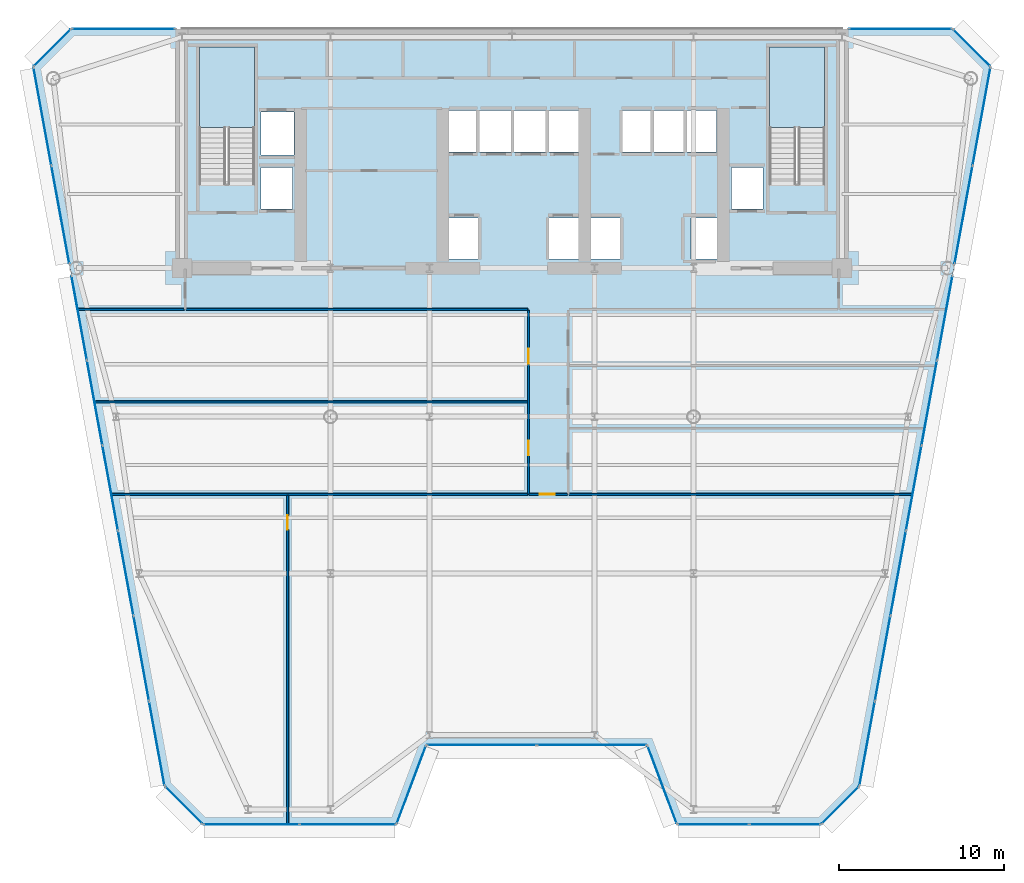
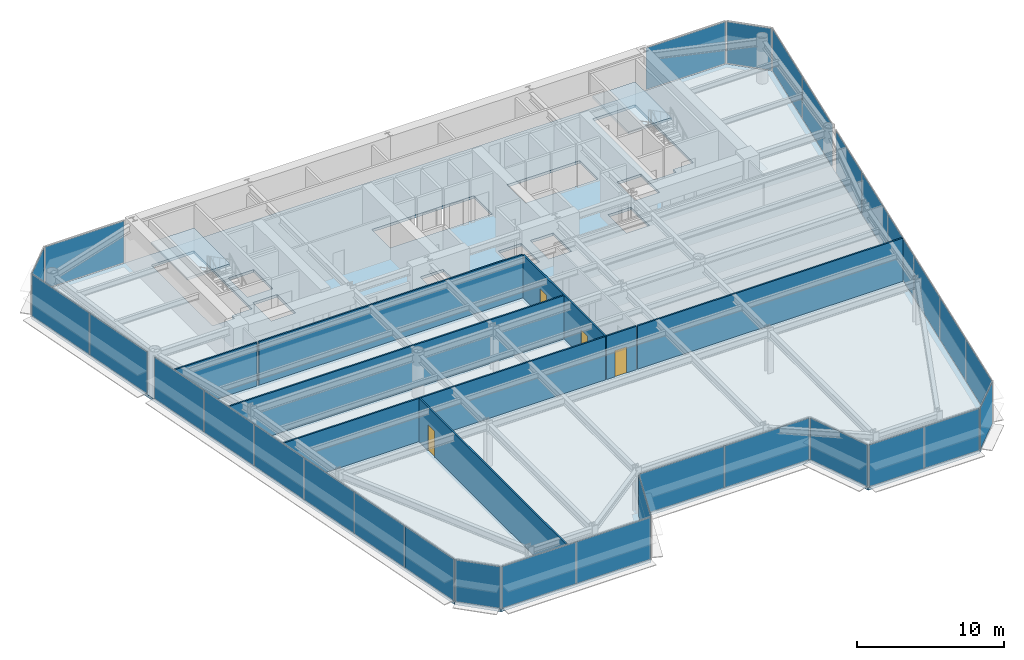
# One storey, part 10 of 17: 30 plates, 8 walls, 4 doors, 3 slabs, 4 openings, 17 elements without a shape of their own.
"""IFC4 building model written with IfcOpenShell, lengths in metres."""

import ifcopenshell
import ifcopenshell.guid

model = None  # the IFC model being written
_history = None  # IfcOwnerHistory: only IFC2X3 demands one
_inside = {}  # id of a spatial element -> (the spatial element, [elements in it])
_under = {}  # id of a project, library or spatial element -> (it, [spatial elements below it])
_declared = {}  # id of a project -> (the project, [libraries it declares])
_typed = {}  # id of a type object -> (the type object, [elements of that type])
_made_of = {}  # id of a material, layer set ... -> (it, [elements and type objects made of it])


def new_model(schema):
    """Start an empty IFC model of exactly this schema.

    Asked for "IFC4X3", IfcOpenShell would pick the latest addendum, in which some entities
    have other attributes; the version numbers below select the first issue.
    IFC2X3 requires an IfcOwnerHistory on every rooted entity: one is made here for all.
    """
    global model, _history
    if schema == "IFC4X3":
        model = ifcopenshell.file(schema_version=(4, 3, 0, 0))
    else:
        model = ifcopenshell.file(schema=schema)
    _inside.clear()
    _under.clear()
    _declared.clear()
    _typed.clear()
    _made_of.clear()
    _history = None
    if model.schema == "IFC2X3":
        org = make("IfcOrganization", Name="unknown")
        user = make(
            "IfcPersonAndOrganization",
            ThePerson=make("IfcPerson", FamilyName="unknown"),
            TheOrganization=org,
        )
        app = make(
            "IfcApplication",
            ApplicationDeveloper=org,
            Version="unknown",
            ApplicationFullName="unknown",
            ApplicationIdentifier="unknown",
        )
        _history = make(
            "IfcOwnerHistory",
            OwningUser=user,
            OwningApplication=app,
            ChangeAction="ADDED",
            CreationDate=0,
        )
    return model


def make(cls, **values):
    """One entity of the class cls with the attributes given. An attribute that is None is left unset."""
    return model.create_entity(
        cls, **{name: value for name, value in values.items() if value is not None}
    )


def rooted(cls, **values):
    """An entity with a GlobalId (a new one), such as an element, a storey or a relation."""
    return make(cls, GlobalId=ifcopenshell.guid.new(), OwnerHistory=_history, **values)


def si_unit(unit_type, name, prefix=None):
    """IfcSIUnit, for example si_unit("LENGTHUNIT", "METRE", prefix="MILLI")."""
    return make("IfcSIUnit", UnitType=unit_type, Prefix=prefix, Name=name)


def assignment(units):
    """IfcUnitAssignment: the units of a project."""
    return None if units is None else make("IfcUnitAssignment", Units=units)


def point(xyz):
    """IfcCartesianPoint."""
    return None if xyz is None else make("IfcCartesianPoint", Coordinates=xyz)


def direction(xyz):
    """IfcDirection."""
    return None if xyz is None else make("IfcDirection", DirectionRatios=xyz)


def frame(location, z_axis=None, x_axis=None):
    """IfcAxis2Placement3D, a coordinate frame: its origin and axes. An axis left out is left unset."""
    return make(
        "IfcAxis2Placement3D",
        Location=point(location),
        Axis=direction(z_axis),
        RefDirection=direction(x_axis),
    )


def frame_2d(location, x_axis=None):
    """IfcAxis2Placement2D, a coordinate frame in the plane: its origin and x axis."""
    return make(
        "IfcAxis2Placement2D", Location=point(location), RefDirection=direction(x_axis)
    )


def origin():
    """The frame at (0, 0, 0) with its axes left unset."""
    return frame((0.0, 0.0, 0.0))


def origin_2d():
    """The frame at (0, 0) in the plane with its x axis left unset."""
    return frame_2d((0.0, 0.0))


def place(relative_to, where):
    """IfcLocalPlacement: puts the frame where relative to a parent placement (None: the world)."""
    return make(
        "IfcLocalPlacement", PlacementRelTo=relative_to, RelativePlacement=where
    )


def context(
    kind, dimensions, precision=None, world=None, true_north=None, identifier=None
):
    """IfcGeometricRepresentationContext, for example the 3D "Model" context."""
    return make(
        "IfcGeometricRepresentationContext",
        ContextIdentifier=identifier,
        ContextType=kind,
        CoordinateSpaceDimension=dimensions,
        Precision=precision,
        WorldCoordinateSystem=world,
        TrueNorth=true_north,
    )


def subcontext(parent, identifier, kind, view, scale=None):
    """IfcGeometricRepresentationSubContext, for example "Body" below "Model"."""
    return make(
        "IfcGeometricRepresentationSubContext",
        ContextIdentifier=identifier,
        ContextType=kind,
        ParentContext=parent,
        TargetScale=scale,
        TargetView=view,
    )


def project(units=None, contexts=None):
    """IfcProject with its units and contexts."""
    return rooted(
        "IfcProject",
        Name="project",
        RepresentationContexts=contexts,
        UnitsInContext=assignment(units),
    )


def spatial(cls, under=None, at=None, **own):
    """A site, building, storey or space (cls), placed at a placement, below another one or the project."""
    s = rooted(cls, ObjectPlacement=at, **own)
    if under is not None:
        _under.setdefault(under.id(), (under, []))[1].append(s)
    return s


def polyline(points):
    """IfcPolyline through the points."""
    return make("IfcPolyline", Points=[point(p) for p in points])


def profile(cls, at=None, kind="AREA", **sizes):
    """A parametric profile (cls). Its sizes go by their IFC names, for example OverallWidth=200.0."""
    return make(cls, ProfileType=kind, Position=at, **sizes)


def rectangle(**sizes):
    """IfcRectangleProfileDef."""
    return profile("IfcRectangleProfileDef", **sizes)


def outline(outer, holes=None, kind="AREA"):
    """IfcArbitraryClosedProfileDef: a profile drawn as a closed curve; with holes, ...WithVoids."""
    if holes is None:
        return make("IfcArbitraryClosedProfileDef", ProfileType=kind, OuterCurve=outer)
    return make(
        "IfcArbitraryProfileDefWithVoids",
        ProfileType=kind,
        OuterCurve=outer,
        InnerCurves=holes,
    )


def extrude(swept, where, along, depth):
    """IfcExtrudedAreaSolid: the profile swept, set in the frame where, extruded along a direction by depth."""
    return make(
        "IfcExtrudedAreaSolid",
        SweptArea=swept,
        Position=where,
        ExtrudedDirection=direction(along),
        Depth=depth,
    )


def shape(context_of_items, identifier, shape_type, items):
    """IfcShapeRepresentation: the items that make up one representation, for example the "Body"."""
    return make(
        "IfcShapeRepresentation",
        ContextOfItems=context_of_items,
        RepresentationIdentifier=identifier,
        RepresentationType=shape_type,
        Items=items,
    )


def source(mapping_origin, context_of_items, identifier, shape_type, items):
    """IfcRepresentationMap: a shape defined once, which mapped items show again and again."""
    return make(
        "IfcRepresentationMap",
        MappingOrigin=mapping_origin,
        MappedRepresentation=shape(context_of_items, identifier, shape_type, items),
    )


def transform(
    local_origin,
    x_axis=None,
    y_axis=None,
    z_axis=None,
    scale=None,
    scale2=None,
    scale3=None,
    uniform=True,
):
    """IfcCartesianTransformationOperator3D, or its non-uniform kind. x_axis, y_axis, z_axis: its Axis1, 2, 3."""
    if uniform:
        return make(
            "IfcCartesianTransformationOperator3D",
            Axis1=direction(x_axis),
            Axis2=direction(y_axis),
            LocalOrigin=point(local_origin),
            Scale=scale,
            Axis3=direction(z_axis),
        )
    return make(
        "IfcCartesianTransformationOperator3DnonUniform",
        Axis1=direction(x_axis),
        Axis2=direction(y_axis),
        LocalOrigin=point(local_origin),
        Scale=scale,
        Axis3=direction(z_axis),
        Scale2=scale2,
        Scale3=scale3,
    )


def mapped(mapping_source, mapping_target):
    """IfcMappedItem: shows the shape of a source again, moved by a transform."""
    return make(
        "IfcMappedItem", MappingSource=mapping_source, MappingTarget=mapping_target
    )


def material(Name=None, Category=None):
    """IfcMaterial."""
    return make("IfcMaterial", Name=Name, Category=Category)


def layer(
    of_material, thickness, ventilated=None, Name=None, Category=None, Priority=None
):
    """IfcMaterialLayer: one layer of a wall or slab, of a material (None: an air gap)."""
    return make(
        "IfcMaterialLayer",
        Material=of_material,
        LayerThickness=thickness,
        IsVentilated=ventilated,
        Name=Name,
        Category=Category,
        Priority=Priority,
    )


def layer_set(layers, Name=None):
    """IfcMaterialLayerSet."""
    return make("IfcMaterialLayerSet", MaterialLayers=layers, LayerSetName=Name)


def made_of(thing, what):
    """Note that an element or type object is made of a material, layer set ...; save() writes the relation."""
    if what is not None:
        _made_of.setdefault(what.id(), (what, []))[1].append(thing)
    return thing


def type_object(cls, material=None, **own):
    """A type object (cls), such as IfcWallType, which elements share."""
    return made_of(rooted(cls, **own), material)


def element(
    cls,
    number,
    at=None,
    inside=None,
    cuts=None,
    type_object=None,
    material=None,
    context=None,
    identifier="Body",
    shape_type=None,
    held_by="IfcProductDefinitionShape",
    body=None,
    shapes=None,
    **own,
):
    """One element of the class cls, such as IfcWall. Its Tag is "e" and its number.

    at: its placement. inside: the storey or other place that contains it. cuts: it is an
    opening in that element (IfcRelVoidsElement). A single representation is given by context,
    identifier, shape_type and body (its items); several are given by shapes. held_by: the class
    of the entity that holds the representations. save() writes the other relations.
    """
    e = rooted(cls, Tag="e%d" % number, ObjectPlacement=at, **own)
    if body is not None:
        shapes = [shape(context, identifier, shape_type, body)]
    if shapes is not None:
        e.Representation = make(held_by, Representations=shapes)
    if inside is not None:
        _inside.setdefault(inside.id(), (inside, []))[1].append(e)
    if cuts is not None:
        rooted(
            "IfcRelVoidsElement", RelatingBuildingElement=cuts, RelatedOpeningElement=e
        )
    if type_object is not None:
        _typed.setdefault(type_object.id(), (type_object, []))[1].append(e)
    return made_of(e, material)


def fill(opening, filler):
    """IfcRelFillsElement: the door or window that sits in an opening."""
    return rooted(
        "IfcRelFillsElement",
        RelatingOpeningElement=opening,
        RelatedBuildingElement=filler,
    )


def aggregate(whole, parts):
    """IfcRelAggregates: a whole, such as a stair, and the parts it consists of."""
    return rooted("IfcRelAggregates", RelatingObject=whole, RelatedObjects=parts)


def save(model, path):
    """Write the relations noted so far, then the file.

    IfcRelAggregates (storeys below a building ...), IfcRelContainedInSpatialStructure (elements
    in a storey), IfcRelDefinesByType, IfcRelAssociatesMaterial and IfcRelDeclares: one each for
    every whole, place, type object, material and project.
    """
    for whole, parts in _under.values():
        aggregate(whole, parts)
    for where, things in _inside.values():
        rooted(
            "IfcRelContainedInSpatialStructure",
            RelatedElements=things,
            RelatingStructure=where,
        )
    for kind, things in _typed.values():
        rooted("IfcRelDefinesByType", RelatedObjects=things, RelatingType=kind)
    for what, things in _made_of.values():
        rooted("IfcRelAssociatesMaterial", RelatedObjects=things, RelatingMaterial=what)
    for by, libraries in _declared.values():
        rooted("IfcRelDeclares", RelatingContext=by, RelatedDefinitions=libraries)
    model.write(path)


model = new_model("IFC4")

# Units and contexts
model_context = context("Model", 3, precision=1e-05, world=origin(), true_north=direction((0.0, 1.0)))
body_context = subcontext(model_context, "Body", "Model", "MODEL_VIEW")
ifc_project = project(units=[si_unit("LENGTHUNIT", "METRE"), si_unit("AREAUNIT", "SQUARE_METRE"), si_unit("VOLUMEUNIT", "CUBIC_METRE"), si_unit("PLANEANGLEUNIT", "RADIAN"), si_unit("MASSUNIT", "GRAM", prefix="KILO")], contexts=[model_context])

# Site, building, storey
site_placement = place(None, origin())
site = spatial("IfcSite", under=ifc_project, at=site_placement, CompositionType="ELEMENT")
building_placement = place(site_placement, origin())
building = spatial("IfcBuilding", under=site, at=building_placement, Name="Vaeldorn Concourse Tower", CompositionType="ELEMENT")
storey_placement = place(building_placement, frame((0.0, 0.0, 157.60009765625)))
storey = spatial("IfcBuildingStorey", under=building, at=storey_placement, Name="L40", CompositionType="ELEMENT", Elevation=157.60009765625)

# Stair, slab
ifc_material_1 = material(Name="Precast concrete C40/50", Category="concrete")
stair_type = type_object("IfcStairType", Name="STR-DOG-24x158", PredefinedType="HALF_TURN_STAIR", material=ifc_material_1)
stair_1_placement = place(storey_placement, origin())
stair_1 = element("IfcStair", 1, at=stair_1_placement, inside=storey, type_object=stair_type, Name="L40 West Core Exit Stair ST-1", PredefinedType="HALF_TURN_STAIR")
ifc_material_2 = material(Name="Concrete C40/50", Category="concrete")
ifc_layer_1 = layer(ifc_material_2, 0.199951171875)
ifc_layer_set_1 = layer_set([ifc_layer_1], Name="Concrete C40/50")
slab_type_1 = type_object("IfcSlabType", Name="SL-STAIR-LANDING", PredefinedType="LANDING", material=ifc_layer_set_1)
slab_1_placement = place(storey_placement, frame((0.0, 0.0, 1.699951171875)))
slab_1 = element("IfcSlab", 2, at=slab_1_placement, type_object=slab_type_1, Name="ST-1 landing 1", PredefinedType="LANDING", context=body_context, shape_type="SweptSolid", body=[
    extrude(outline(polyline([(18.39990234375, 45.010009765625), (18.39990234375, 49.89990234375), (15.050048828125, 49.89990234375), (15.050048828125, 45.010009765625), (18.39990234375, 45.010009765625)])), origin(), (0.0, 0.0, 1.0), 0.199951171875),
])
aggregate(stair_1, [slab_1])

stair_2_placement = place(storey_placement, origin())
stair_2 = element("IfcStair", 3, at=stair_2_placement, inside=storey, type_object=stair_type, Name="L40 East Core Exit Stair ST-2", PredefinedType="HALF_TURN_STAIR")
slab_2_placement = place(storey_placement, frame((0.0, 0.0, 1.699951171875)))
slab_2 = element("IfcSlab", 4, at=slab_2_placement, type_object=slab_type_1, Name="ST-2 landing 1", PredefinedType="LANDING", context=body_context, shape_type="SweptSolid", body=[
    extrude(outline(polyline([(52.949951171875, 45.010009765625), (52.949951171875, 49.89990234375), (49.60009765625, 49.89990234375), (49.60009765625, 45.010009765625), (52.949951171875, 45.010009765625)])), origin(), (0.0, 0.0, 1.0), 0.199951171875),
])
aggregate(stair_2, [slab_2])

# Slab
ifc_layer_2 = layer(ifc_material_2, 0.219970703125)
ifc_layer_set_2 = layer_set([ifc_layer_2], Name="Concrete C40/50")
slab_type_2 = type_object("IfcSlabType", Name="SL-TYP-220", PredefinedType="FLOOR", material=ifc_layer_set_2)
slab_3_placement = place(storey_placement, frame((0.0, 0.0, -0.22021484375)))
element("IfcSlab", 5, at=slab_3_placement, inside=storey, type_object=slab_type_2, Name="Structural Floor Slab L40", PredefinedType="FLOOR", context=body_context, shape_type="SweptSolid", body=[
    extrude(outline(polyline([(15.2529296875, 2.800048828125), (27.0, 2.800048828125), (28.800048828125, 7.60009765625), (42.199951171875, 7.60009765625), (44.0, 2.800048828125), (52.7470703125, 2.800048828125), (55.047119140625, 5.10009765625), (63.0, 48.699951171875), (60.699951171875, 51.0), (7.300048828125, 51.0), (5.0, 48.699951171875), (12.952880859375, 5.10009765625), (15.2529296875, 2.800048828125)]), holes=[polyline([(18.39990234375, 42.0), (18.39990234375, 49.89990234375), (15.050048828125, 49.89990234375), (15.050048828125, 41.60009765625), (16.800048828125, 41.60009765625), (16.800048828125, 42.0), (18.39990234375, 42.0)]), polyline([(52.949951171875, 42.0), (52.949951171875, 49.89990234375), (49.60009765625, 49.89990234375), (49.60009765625, 41.60009765625), (51.35009765625, 41.60009765625), (51.35009765625, 42.0), (52.949951171875, 42.0)]), polyline([(30.14990234375, 37.050048828125), (31.949951171875, 37.050048828125), (31.949951171875, 39.550048828125), (30.14990234375, 39.550048828125), (30.14990234375, 37.050048828125)]), polyline([(36.25, 37.050048828125), (38.050048828125, 37.050048828125), (38.050048828125, 39.550048828125), (36.25, 39.550048828125), (36.25, 37.050048828125)]), polyline([(30.10009765625, 43.550048828125), (38.10009765625, 43.550048828125), (38.10009765625, 46.050048828125), (30.10009765625, 46.050048828125), (30.10009765625, 43.550048828125)]), polyline([(38.75, 37.050048828125), (40.550048828125, 37.050048828125), (40.550048828125, 39.550048828125), (38.75, 39.550048828125), (38.75, 37.050048828125)]), polyline([(44.85009765625, 37.050048828125), (46.64990234375, 37.050048828125), (46.64990234375, 39.550048828125), (44.85009765625, 39.550048828125), (44.85009765625, 37.050048828125)]), polyline([(40.699951171875, 43.550048828125), (46.39990234375, 43.550048828125), (46.39990234375, 46.050048828125), (40.699951171875, 46.050048828125), (40.699951171875, 43.550048828125)]), polyline([(18.800048828125, 43.35009765625), (20.800048828125, 43.35009765625), (20.800048828125, 45.949951171875), (18.800048828125, 45.949951171875), (18.800048828125, 43.35009765625)]), polyline([(18.800048828125, 40.10009765625), (20.699951171875, 40.10009765625), (20.699951171875, 42.60009765625), (18.800048828125, 42.60009765625), (18.800048828125, 40.10009765625)]), polyline([(47.300048828125, 40.10009765625), (49.199951171875, 40.10009765625), (49.199951171875, 42.60009765625), (47.300048828125, 42.60009765625), (47.300048828125, 40.10009765625)])]), origin(), (0.0, 0.0, 1.0), 0.22021484375),
])

# Curtain wall, plate
ifc_material_3 = material(Name="Anodised Bronze Aluminium", Category="aluminium")
ifc_layer_3 = layer(ifc_material_3, 0.18994140625)
ifc_layer_set_3 = layer_set([ifc_layer_3], Name="Anodised Bronze Aluminium")
curtain_wall_type = type_object("IfcCurtainWallType", Name="CW-SYS-03", PredefinedType="NOTDEFINED", material=ifc_layer_set_3)
curtain_wall_1_placement = place(storey_placement, origin())
curtain_wall_1 = element("IfcCurtainWall", 6, at=curtain_wall_1_placement, inside=storey, type_object=curtain_wall_type, Name="Unitised Curtain Wall CW-L40-E02-1", PredefinedType="NOTDEFINED")
ifc_material_4 = material(Name="Bronze Tinted Low-E Insulated Glass", Category="glass")
ifc_layer_4 = layer(ifc_material_4, 0.031982421875)
ifc_layer_set_4 = layer_set([ifc_layer_4], Name="Bronze Tinted Low-E Insulated Glass")
plate_type = type_object("IfcPlateType", Name="CWP-VISION-32", PredefinedType="CURTAIN_PANEL", material=ifc_layer_set_4)
shared_shape_1 = source(origin(), body_context, "Body", "SweptSolid", [
    extrude(rectangle(XDim=4.996337890625, YDim=0.031982421875, at=origin_2d()), origin(), (0.0, 0.0, 1.0), 3.449951171875),
])
plate_1_placement = place(storey_placement, frame((27.89990234375, 5.199951171875, 0.06494140625), z_axis=(0.0, 0.0, 1.0), x_axis=(0.351123441595, 0.936329177566, 0.0)))
plate_1 = element("IfcPlate", 7, at=plate_1_placement, type_object=plate_type, Name="CW-03 panel 1.1", PredefinedType="CURTAIN_PANEL", context=body_context, shape_type="MappedRepresentation", body=[
    mapped(shared_shape_1, transform((0.0, 0.0, 0.0), scale=1.0)),
])
aggregate(curtain_wall_1, [plate_1])

curtain_wall_2_placement = place(storey_placement, origin())
curtain_wall_2 = element("IfcCurtainWall", 8, at=curtain_wall_2_placement, inside=storey, type_object=curtain_wall_type, Name="Unitised Curtain Wall CW-L40-E04-1", PredefinedType="NOTDEFINED")
plate_2_placement = place(storey_placement, frame((43.10009765625, 5.199951171875, 0.06494140625), z_axis=(0.0, 0.0, 1.0), x_axis=(0.351123441595, -0.936329177566, 0.0)))
plate_2 = element("IfcPlate", 9, at=plate_2_placement, type_object=plate_type, Name="CW-03 panel 1.1", PredefinedType="CURTAIN_PANEL", context=body_context, shape_type="MappedRepresentation", body=[
    mapped(shared_shape_1, transform((0.0, 0.0, 0.0), scale=1.0)),
])
aggregate(curtain_wall_2, [plate_2])

# Curtain wall, plates
curtain_wall_3_placement = place(storey_placement, origin())
curtain_wall_3 = element("IfcCurtainWall", 10, at=curtain_wall_3_placement, inside=storey, type_object=curtain_wall_type, Name="Unitised Curtain Wall CW-L40-E03-1", PredefinedType="NOTDEFINED")
shared_shape_2 = source(origin(), body_context, "Body", "SweptSolid", [
    extrude(rectangle(XDim=6.6025390625, YDim=0.031982421875, at=origin_2d()), origin(), (0.0, 0.0, 1.0), 3.449951171875),
])
plate_3_placement = place(storey_placement, frame((32.166259765625, 7.60009765625, 0.06494140625), z_axis=(0.0, 0.0, 1.0), x_axis=(1.0, 0.0, 0.0)))
plate_3 = element("IfcPlate", 11, at=plate_3_placement, type_object=plate_type, Name="CW-03 panel 1.1", PredefinedType="CURTAIN_PANEL", context=body_context, shape_type="MappedRepresentation", body=[
    mapped(shared_shape_2, transform((0.0, 0.0, 0.0), scale=1.0)),
])
plate_4_placement = place(storey_placement, frame((38.833740234375, 7.60009765625, 0.06494140625), z_axis=(0.0, 0.0, 1.0), x_axis=(1.0, 0.0, 0.0)))
plate_4 = element("IfcPlate", 12, at=plate_4_placement, type_object=plate_type, Name="CW-03 panel 2.1", PredefinedType="CURTAIN_PANEL", context=body_context, shape_type="MappedRepresentation", body=[
    mapped(shared_shape_2, transform((0.0, 0.0, 0.0), scale=1.0)),
])
aggregate(curtain_wall_3, [plate_3, plate_4])

# Curtain wall, plate
curtain_wall_4_placement = place(storey_placement, origin())
curtain_wall_4 = element("IfcCurtainWall", 13, at=curtain_wall_4_placement, inside=storey, type_object=curtain_wall_type, Name="Unitised Curtain Wall CW-L40-E06-1", PredefinedType="NOTDEFINED")
shared_shape_3 = source(origin(), body_context, "Body", "SweptSolid", [
    extrude(rectangle(XDim=3.122802734375, YDim=0.031982421875, at=origin_2d()), origin(), (0.0, 0.0, 1.0), 3.449951171875),
])
plate_5_placement = place(storey_placement, frame((53.89697265625, 3.949951171875, 0.06494140625), z_axis=(0.0, 0.0, 1.0), x_axis=(0.707106781187, 0.707106781187, 0.0)))
plate_5 = element("IfcPlate", 14, at=plate_5_placement, type_object=plate_type, Name="CW-03 panel 1.1", PredefinedType="CURTAIN_PANEL", context=body_context, shape_type="MappedRepresentation", body=[
    mapped(shared_shape_3, transform((0.0, 0.0, 0.0), scale=1.0)),
])
aggregate(curtain_wall_4, [plate_5])

curtain_wall_5_placement = place(storey_placement, origin())
curtain_wall_5 = element("IfcCurtainWall", 15, at=curtain_wall_5_placement, inside=storey, type_object=curtain_wall_type, Name="Unitised Curtain Wall CW-L40-E08-1", PredefinedType="NOTDEFINED")
plate_6_placement = place(storey_placement, frame((61.85009765625, 49.85009765625, 0.06494140625), z_axis=(0.0, 0.0, 1.0), x_axis=(-0.707106781187, 0.707106781187, 0.0)))
plate_6 = element("IfcPlate", 16, at=plate_6_placement, type_object=plate_type, Name="CW-03 panel 1.1", PredefinedType="CURTAIN_PANEL", context=body_context, shape_type="MappedRepresentation", body=[
    mapped(shared_shape_3, transform((0.0, 0.0, 0.0), scale=1.0)),
])
aggregate(curtain_wall_5, [plate_6])

curtain_wall_6_placement = place(storey_placement, origin())
curtain_wall_6 = element("IfcCurtainWall", 17, at=curtain_wall_6_placement, inside=storey, type_object=curtain_wall_type, Name="Unitised Curtain Wall CW-L40-E10-1", PredefinedType="NOTDEFINED")
plate_7_placement = place(storey_placement, frame((6.14990234375, 49.85009765625, 0.06494140625), z_axis=(0.0, 0.0, 1.0), x_axis=(-0.707106781187, -0.707106781187, 0.0)))
plate_7 = element("IfcPlate", 18, at=plate_7_placement, type_object=plate_type, Name="CW-03 panel 1.1", PredefinedType="CURTAIN_PANEL", context=body_context, shape_type="MappedRepresentation", body=[
    mapped(shared_shape_3, transform((0.0, 0.0, 0.0), scale=1.0)),
])
aggregate(curtain_wall_6, [plate_7])

curtain_wall_7_placement = place(storey_placement, origin())
curtain_wall_7 = element("IfcCurtainWall", 19, at=curtain_wall_7_placement, inside=storey, type_object=curtain_wall_type, Name="Unitised Curtain Wall CW-L40-E12-1", PredefinedType="NOTDEFINED")
plate_8_placement = place(storey_placement, frame((14.10302734375, 3.949951171875, 0.06494140625), z_axis=(0.0, 0.0, 1.0), x_axis=(0.707106781187, -0.707106781187, 0.0)))
plate_8 = element("IfcPlate", 20, at=plate_8_placement, type_object=plate_type, Name="CW-03 panel 1.1", PredefinedType="CURTAIN_PANEL", context=body_context, shape_type="MappedRepresentation", body=[
    mapped(shared_shape_3, transform((0.0, 0.0, 0.0), scale=1.0)),
])
aggregate(curtain_wall_7, [plate_8])

curtain_wall_8_placement = place(storey_placement, origin())
curtain_wall_8 = element("IfcCurtainWall", 21, at=curtain_wall_8_placement, inside=storey, type_object=curtain_wall_type, Name="Unitised Curtain Wall CW-L40-E09-1", PredefinedType="NOTDEFINED")
shared_shape_4 = source(origin(), body_context, "Body", "SweptSolid", [
    extrude(rectangle(XDim=6.199951171875, YDim=0.031982421875, at=origin_2d()), origin(), (0.0, 0.0, 1.0), 3.449951171875),
])
plate_9_placement = place(storey_placement, frame((57.534912109375, 51.0, 0.06494140625), z_axis=(0.0, 0.0, 1.0), x_axis=(-1.0, 0.0, 0.0)))
plate_9 = element("IfcPlate", 22, at=plate_9_placement, type_object=plate_type, Name="CW-03 panel 1.1", PredefinedType="CURTAIN_PANEL", context=body_context, shape_type="MappedRepresentation", body=[
    mapped(shared_shape_4, transform((0.0, 0.0, 0.0), scale=1.0)),
])
aggregate(curtain_wall_8, [plate_9])

curtain_wall_9_placement = place(storey_placement, origin())
curtain_wall_9 = element("IfcCurtainWall", 23, at=curtain_wall_9_placement, inside=storey, type_object=curtain_wall_type, Name="Unitised Curtain Wall CW-L40-E09-2", PredefinedType="NOTDEFINED")
plate_10_placement = place(storey_placement, frame((10.465087890625, 51.0, 0.06494140625), z_axis=(0.0, 0.0, 1.0), x_axis=(-1.0, 0.0, 0.0)))
plate_10 = element("IfcPlate", 24, at=plate_10_placement, type_object=plate_type, Name="CW-03 panel 1.1", PredefinedType="CURTAIN_PANEL", context=body_context, shape_type="MappedRepresentation", body=[
    mapped(shared_shape_4, transform((0.0, 0.0, 0.0), scale=1.0)),
])
aggregate(curtain_wall_9, [plate_10])

# Curtain wall, plates
curtain_wall_10_placement = place(storey_placement, origin())
curtain_wall_10 = element("IfcCurtainWall", 25, at=curtain_wall_10_placement, inside=storey, type_object=curtain_wall_type, Name="Unitised Curtain Wall CW-L40-E01-1", PredefinedType="NOTDEFINED")
shared_shape_5 = source(origin(), body_context, "Body", "SweptSolid", [
    extrude(rectangle(XDim=5.77587890625, YDim=0.031982421875, at=origin_2d()), origin(), (0.0, 0.0, 1.0), 3.449951171875),
])
plate_11_placement = place(storey_placement, frame((18.2060546875, 2.800048828125, 0.06494140625), z_axis=(0.0, 0.0, 1.0), x_axis=(1.0, 0.0, 0.0)))
plate_11 = element("IfcPlate", 26, at=plate_11_placement, type_object=plate_type, Name="CW-03 panel 1.1", PredefinedType="CURTAIN_PANEL", context=body_context, shape_type="MappedRepresentation", body=[
    mapped(shared_shape_5, transform((0.0, 0.0, 0.0), scale=1.0)),
])
plate_12_placement = place(storey_placement, frame((24.047119140625, 2.800048828125, 0.06494140625), z_axis=(0.0, 0.0, 1.0), x_axis=(1.0, 0.0, 0.0)))
plate_12 = element("IfcPlate", 27, at=plate_12_placement, type_object=plate_type, Name="CW-03 panel 2.1", PredefinedType="CURTAIN_PANEL", context=body_context, shape_type="MappedRepresentation", body=[
    mapped(shared_shape_5, transform((0.0, 0.0, 0.0), scale=1.0)),
])
aggregate(curtain_wall_10, [plate_11, plate_12])

curtain_wall_11_placement = place(storey_placement, origin())
curtain_wall_11 = element("IfcCurtainWall", 28, at=curtain_wall_11_placement, inside=storey, type_object=curtain_wall_type, Name="Unitised Curtain Wall CW-L40-E05-1", PredefinedType="NOTDEFINED")
shared_shape_6 = source(origin(), body_context, "Body", "SweptSolid", [
    extrude(rectangle(XDim=4.27587890625, YDim=0.031982421875, at=origin_2d()), origin(), (0.0, 0.0, 1.0), 3.449951171875),
])
plate_13_placement = place(storey_placement, frame((46.202880859375, 2.800048828125, 0.06494140625), z_axis=(0.0, 0.0, 1.0), x_axis=(1.0, 0.0, 0.0)))
plate_13 = element("IfcPlate", 29, at=plate_13_placement, type_object=plate_type, Name="CW-03 panel 1.1", PredefinedType="CURTAIN_PANEL", context=body_context, shape_type="MappedRepresentation", body=[
    mapped(shared_shape_6, transform((0.0, 0.0, 0.0), scale=1.0)),
])
plate_14_placement = place(storey_placement, frame((50.5439453125, 2.800048828125, 0.06494140625), z_axis=(0.0, 0.0, 1.0), x_axis=(1.0, 0.0, 0.0)))
plate_14 = element("IfcPlate", 30, at=plate_14_placement, type_object=plate_type, Name="CW-03 panel 2.1", PredefinedType="CURTAIN_PANEL", context=body_context, shape_type="MappedRepresentation", body=[
    mapped(shared_shape_6, transform((0.0, 0.0, 0.0), scale=1.0)),
])
aggregate(curtain_wall_11, [plate_13, plate_14])

curtain_wall_12_placement = place(storey_placement, origin())
curtain_wall_12 = element("IfcCurtainWall", 31, at=curtain_wall_12_placement, inside=storey, type_object=curtain_wall_type, Name="Unitised Curtain Wall CW-L40-E07-1", PredefinedType="NOTDEFINED")
shared_shape_7 = source(origin(), body_context, "Body", "SweptSolid", [
    extrude(rectangle(XDim=5.151611328125, YDim=0.031982421875, at=origin_2d()), origin(), (0.0, 0.0, 1.0), 3.449951171875),
])
plate_15_placement = place(storey_placement, frame((55.52099609375, 7.697998046875, 0.06494140625), z_axis=(0.0, 0.0, 1.0), x_axis=(0.179445909331, 0.983767841325, 0.0)))
plate_15 = element("IfcPlate", 32, at=plate_15_placement, type_object=plate_type, Name="CW-03 panel 1.1", PredefinedType="CURTAIN_PANEL", context=body_context, shape_type="MappedRepresentation", body=[
    mapped(shared_shape_7, transform((0.0, 0.0, 0.0), scale=1.0)),
])
plate_16_placement = place(storey_placement, frame((60.224609375, 33.485595703125, 0.06494140625), z_axis=(0.0, 0.0, 1.0), x_axis=(0.179445909331, 0.983767841325, 0.0)))
plate_16 = element("IfcPlate", 33, at=plate_16_placement, type_object=plate_type, Name="CW-03 panel 6.1", PredefinedType="CURTAIN_PANEL", context=body_context, shape_type="MappedRepresentation", body=[
    mapped(shared_shape_7, transform((0.0, 0.0, 0.0), scale=1.0)),
])

curtain_wall_13_placement = place(storey_placement, origin())
curtain_wall_13 = element("IfcCurtainWall", 34, at=curtain_wall_13_placement, inside=storey, type_object=curtain_wall_type, Name="Unitised Curtain Wall CW-L40-E11-2", PredefinedType="NOTDEFINED")
plate_17_placement = place(storey_placement, frame((7.775390625, 33.485595703125, 0.06494140625), z_axis=(0.0, 0.0, 1.0), x_axis=(0.179445909331, -0.983767841325, 0.0)))
plate_17 = element("IfcPlate", 35, at=plate_17_placement, type_object=plate_type, Name="CW-03 panel 1.1", PredefinedType="CURTAIN_PANEL", context=body_context, shape_type="MappedRepresentation", body=[
    mapped(shared_shape_7, transform((0.0, 0.0, 0.0), scale=1.0)),
])
plate_18_placement = place(storey_placement, frame((12.47900390625, 7.697998046875, 0.06494140625), z_axis=(0.0, 0.0, 1.0), x_axis=(0.179445909331, -0.983767841325, 0.0)))
plate_18 = element("IfcPlate", 36, at=plate_18_placement, type_object=plate_type, Name="CW-03 panel 6.1", PredefinedType="CURTAIN_PANEL", context=body_context, shape_type="MappedRepresentation", body=[
    mapped(shared_shape_7, transform((0.0, 0.0, 0.0), scale=1.0)),
])

# Plate
shared_shape_8 = source(origin(), body_context, "Body", "SweptSolid", [
    extrude(rectangle(XDim=5.18408203125, YDim=0.031982421875, at=origin_2d()), origin(), (0.0, 0.0, 1.0), 3.449951171875),
])
plate_19_placement = place(storey_placement, frame((56.4599609375, 12.845947265625, 0.06494140625), z_axis=(0.0, 0.0, 1.0), x_axis=(0.179445909331, 0.983767841325, 0.0)))
plate_19 = element("IfcPlate", 37, at=plate_19_placement, type_object=plate_type, Name="CW-03 panel 2.1", PredefinedType="CURTAIN_PANEL", context=body_context, shape_type="MappedRepresentation", body=[
    mapped(shared_shape_8, transform((0.0, 0.0, 0.0), scale=1.0)),
])

plate_20_placement = place(storey_placement, frame((57.40185546875, 18.009765625, 0.06494140625), z_axis=(0.0, 0.0, 1.0), x_axis=(0.179445909331, 0.983767841325, 0.0)))
plate_20 = element("IfcPlate", 38, at=plate_20_placement, type_object=plate_type, Name="CW-03 panel 3.1", PredefinedType="CURTAIN_PANEL", context=body_context, shape_type="MappedRepresentation", body=[
    mapped(shared_shape_8, transform((0.0, 0.0, 0.0), scale=1.0)),
])

plate_21_placement = place(storey_placement, frame((58.34375, 23.173828125, 0.06494140625), z_axis=(0.0, 0.0, 1.0), x_axis=(0.179445909331, 0.983767841325, 0.0)))
plate_21 = element("IfcPlate", 39, at=plate_21_placement, type_object=plate_type, Name="CW-03 panel 4.1", PredefinedType="CURTAIN_PANEL", context=body_context, shape_type="MappedRepresentation", body=[
    mapped(shared_shape_8, transform((0.0, 0.0, 0.0), scale=1.0)),
])

plate_22_placement = place(storey_placement, frame((59.28564453125, 28.337646484375, 0.06494140625), z_axis=(0.0, 0.0, 1.0), x_axis=(0.179445909331, 0.983767841325, 0.0)))
plate_22 = element("IfcPlate", 40, at=plate_22_placement, type_object=plate_type, Name="CW-03 panel 5.1", PredefinedType="CURTAIN_PANEL", context=body_context, shape_type="MappedRepresentation", body=[
    mapped(shared_shape_8, transform((0.0, 0.0, 0.0), scale=1.0)),
])

aggregate(curtain_wall_12, [plate_15, plate_19, plate_20, plate_21, plate_22, plate_16])

plate_23_placement = place(storey_placement, frame((8.71435546875, 28.337646484375, 0.06494140625), z_axis=(0.0, 0.0, 1.0), x_axis=(0.179445909331, -0.983767841325, 0.0)))
plate_23 = element("IfcPlate", 41, at=plate_23_placement, type_object=plate_type, Name="CW-03 panel 2.1", PredefinedType="CURTAIN_PANEL", context=body_context, shape_type="MappedRepresentation", body=[
    mapped(shared_shape_8, transform((0.0, 0.0, 0.0), scale=1.0)),
])

plate_24_placement = place(storey_placement, frame((9.65625, 23.173828125, 0.06494140625), z_axis=(0.0, 0.0, 1.0), x_axis=(0.179445909331, -0.983767841325, 0.0)))
plate_24 = element("IfcPlate", 42, at=plate_24_placement, type_object=plate_type, Name="CW-03 panel 3.1", PredefinedType="CURTAIN_PANEL", context=body_context, shape_type="MappedRepresentation", body=[
    mapped(shared_shape_8, transform((0.0, 0.0, 0.0), scale=1.0)),
])

plate_25_placement = place(storey_placement, frame((10.59814453125, 18.009765625, 0.06494140625), z_axis=(0.0, 0.0, 1.0), x_axis=(0.179445909331, -0.983767841325, 0.0)))
plate_25 = element("IfcPlate", 43, at=plate_25_placement, type_object=plate_type, Name="CW-03 panel 4.1", PredefinedType="CURTAIN_PANEL", context=body_context, shape_type="MappedRepresentation", body=[
    mapped(shared_shape_8, transform((0.0, 0.0, 0.0), scale=1.0)),
])

plate_26_placement = place(storey_placement, frame((11.5400390625, 12.845947265625, 0.06494140625), z_axis=(0.0, 0.0, 1.0), x_axis=(0.179445909331, -0.983767841325, 0.0)))
plate_26 = element("IfcPlate", 44, at=plate_26_placement, type_object=plate_type, Name="CW-03 panel 5.1", PredefinedType="CURTAIN_PANEL", context=body_context, shape_type="MappedRepresentation", body=[
    mapped(shared_shape_8, transform((0.0, 0.0, 0.0), scale=1.0)),
])

aggregate(curtain_wall_13, [plate_17, plate_23, plate_24, plate_25, plate_26, plate_18])

# Curtain wall, plates
curtain_wall_14_placement = place(storey_placement, origin())
curtain_wall_14 = element("IfcCurtainWall", 45, at=curtain_wall_14_placement, inside=storey, type_object=curtain_wall_type, Name="Unitised Curtain Wall CW-L40-E07-2", PredefinedType="NOTDEFINED")
shared_shape_9 = source(origin(), body_context, "Body", "SweptSolid", [
    extrude(rectangle(XDim=5.986572265625, YDim=0.031982421875, at=origin_2d()), origin(), (0.0, 0.0, 1.0), 3.449951171875),
])
plate_27_placement = place(storey_placement, frame((61.365234375, 39.73828125, 0.06494140625), z_axis=(0.0, 0.0, 1.0), x_axis=(0.179447345892, 0.983767579285, 0.0)))
plate_27 = element("IfcPlate", 46, at=plate_27_placement, type_object=plate_type, Name="CW-03 panel 1.1", PredefinedType="CURTAIN_PANEL", context=body_context, shape_type="MappedRepresentation", body=[
    mapped(shared_shape_9, transform((0.0, 0.0, 0.0), scale=1.0)),
])
plate_28_placement = place(storey_placement, frame((62.451171875, 45.69140625, 0.06494140625), z_axis=(0.0, 0.0, 1.0), x_axis=(0.179447345892, 0.983767579285, 0.0)))
plate_28 = element("IfcPlate", 47, at=plate_28_placement, type_object=plate_type, Name="CW-03 panel 2.1", PredefinedType="CURTAIN_PANEL", context=body_context, shape_type="MappedRepresentation", body=[
    mapped(shared_shape_9, transform((0.0, 0.0, 0.0), scale=1.0)),
])
aggregate(curtain_wall_14, [plate_27, plate_28])

curtain_wall_15_placement = place(storey_placement, origin())
curtain_wall_15 = element("IfcCurtainWall", 48, at=curtain_wall_15_placement, inside=storey, type_object=curtain_wall_type, Name="Unitised Curtain Wall CW-L40-E11-1", PredefinedType="NOTDEFINED")
plate_29_placement = place(storey_placement, frame((5.548828125, 45.69140625, 0.06494140625), z_axis=(0.0, 0.0, 1.0), x_axis=(0.179447345892, -0.983767579285, 0.0)))
plate_29 = element("IfcPlate", 49, at=plate_29_placement, type_object=plate_type, Name="CW-03 panel 1.1", PredefinedType="CURTAIN_PANEL", context=body_context, shape_type="MappedRepresentation", body=[
    mapped(shared_shape_9, transform((0.0, 0.0, 0.0), scale=1.0)),
])
plate_30_placement = place(storey_placement, frame((6.634765625, 39.73828125, 0.06494140625), z_axis=(0.0, 0.0, 1.0), x_axis=(0.179447345892, -0.983767579285, 0.0)))
plate_30 = element("IfcPlate", 50, at=plate_30_placement, type_object=plate_type, Name="CW-03 panel 2.1", PredefinedType="CURTAIN_PANEL", context=body_context, shape_type="MappedRepresentation", body=[
    mapped(shared_shape_9, transform((0.0, 0.0, 0.0), scale=1.0)),
])
aggregate(curtain_wall_15, [plate_29, plate_30])

# Wall
ifc_material_5 = material(Name="Gypsum Board Partition", Category="gypsum")
ifc_layer_5 = layer(ifc_material_5, 0.1201171875)
ifc_layer_set_5 = layer_set([ifc_layer_5], Name="Gypsum Board Partition")
wall_type = type_object("IfcWallType", Name="WL-PART-120", PredefinedType="PARTITIONING", material=ifc_layer_set_5)
wall_1_placement = place(storey_placement, frame((14.260009765625, 34.0, 0.0), z_axis=(0.0, 0.0, 1.0), x_axis=(1.0, 0.0, 0.0)))
element("IfcWall", 51, at=wall_1_placement, inside=storey, type_object=wall_type, Name="Interior Wall PW-L40-C3SW", PredefinedType="PARTITIONING", context=body_context, shape_type="SweptSolid", body=[
    extrude(rectangle(XDim=20.679931640625, YDim=0.1201171875, at=frame_2d((10.33984375, 0.0))), origin(), (0.0, 0.0, 1.0), 3.579833984375),
])

# Wall, openings, doors
wall_2_placement = place(storey_placement, frame((35.0, 22.800048828125, 0.0), z_axis=(0.0, 0.0, 1.0), x_axis=(0.0, 1.0, 0.0)))
wall_2 = element("IfcWall", 52, at=wall_2_placement, inside=storey, type_object=wall_type, Name="Interior Wall PW-L40-CSPW", PredefinedType="PARTITIONING", context=body_context, shape_type="SweptSolid", body=[
    extrude(rectangle(XDim=11.139892578125, YDim=0.1201171875, at=frame_2d((5.56982421875, 0.0))), origin(), (0.0, 0.0, 1.0), 3.579833984375),
])
opening_1_placement = place(wall_2_placement, frame((2.35009765625, 0.0, 0.0)))
opening_1 = element("IfcOpeningElement", 53, at=opening_1_placement, cuts=wall_2, Name="Opening D-03", PredefinedType="OPENING", context=body_context, shape_type="SweptSolid", body=[
    extrude(rectangle(XDim=0.89990234375, YDim=2.14990234375, at=frame_2d((0.449951171875, 1.074951171875))), frame((0.0, 0.070068359375, 0.0), z_axis=(0.0, -1.0, 0.0), x_axis=(1.0, 0.0, 0.0)), (0.0, 0.0, 1.0), 0.14013671875),
])
opening_2_placement = place(wall_2_placement, frame((7.919921875, 0.0, 0.0)))
opening_2 = element("IfcOpeningElement", 54, at=opening_2_placement, cuts=wall_2, Name="Opening D-03", PredefinedType="OPENING", context=body_context, shape_type="SweptSolid", body=[
    extrude(rectangle(XDim=0.89990234375, YDim=2.14990234375, at=frame_2d((0.449951171875, 1.074951171875))), frame((0.0, 0.070068359375, 0.0), z_axis=(0.0, -1.0, 0.0), x_axis=(1.0, 0.0, 0.0)), (0.0, 0.0, 1.0), 0.14013671875),
])
ifc_material_6 = material(Name="Acoustic Bronze-Framed Glass Door", Category="glass")
door_type = type_object("IfcDoorType", Name="DR-INT-900", OperationType="NOTDEFINED", PredefinedType="DOOR", material=ifc_material_6)
shared_shape_10 = source(origin(), body_context, "Body", "SweptSolid", [
    extrude(rectangle(XDim=0.89990234375, YDim=2.14990234375, at=frame_2d((0.449951171875, 1.074951171875))), frame((0.0, 0.02490234375, 0.0), z_axis=(0.0, -1.0, 0.0), x_axis=(1.0, 0.0, 0.0)), (0.0, 0.0, 1.0), 0.050048828125),
])
door_1_placement = place(opening_1_placement, origin())
door_1 = element("IfcDoor", 55, at=door_1_placement, inside=storey, type_object=door_type, Name="Interior Door DR-L40-Z3W1", OperationType="SINGLE_SWING_LEFT", OverallHeight=2.14990234375, OverallWidth=0.89990234375, PredefinedType="DOOR", context=body_context, shape_type="MappedRepresentation", body=[
    mapped(shared_shape_10, transform((0.0, 0.0, 0.0), scale=1.0)),
])
fill(opening_1, door_1)
door_2_placement = place(opening_2_placement, origin())
door_2 = element("IfcDoor", 56, at=door_2_placement, inside=storey, type_object=door_type, Name="Interior Door DR-L40-Z3W2", OperationType="SINGLE_SWING_RIGHT", OverallHeight=2.14990234375, OverallWidth=0.89990234375, PredefinedType="DOOR", context=body_context, shape_type="MappedRepresentation", body=[
    mapped(shared_shape_10, transform((0.0, 0.0, 0.0), scale=1.0)),
])
fill(opening_2, door_2)

# Wall, opening, door
wall_3_placement = place(storey_placement, frame((35.0400390625, 22.800048828125, 0.0), z_axis=(0.0, 0.0, 1.0), x_axis=(1.0, 0.0, 0.0)))
wall_3 = element("IfcWall", 57, at=wall_3_placement, inside=storey, type_object=wall_type, Name="Interior Wall PW-L40-CSPS", PredefinedType="PARTITIONING", context=body_context, shape_type="SweptSolid", body=[
    extrude(rectangle(XDim=2.320068359375, YDim=0.1201171875, at=frame_2d((1.16015625, 0.0))), origin(), (0.0, 0.0, 1.0), 3.579833984375),
])
opening_3_placement = place(wall_3_placement, frame((0.64990234375, 0.0, 0.0)))
opening_3 = element("IfcOpeningElement", 58, at=opening_3_placement, cuts=wall_3, Name="Opening D-03", PredefinedType="OPENING", context=body_context, shape_type="SweptSolid", body=[
    extrude(rectangle(XDim=0.89990234375, YDim=2.14990234375, at=frame_2d((0.449951171875, 1.074951171875))), frame((0.0, 0.070068359375, 0.0), z_axis=(0.0, -1.0, 0.0), x_axis=(1.0, 0.0, 0.0)), (0.0, 0.0, 1.0), 0.14013671875),
])
door_3_placement = place(opening_3_placement, origin())
door_3 = element("IfcDoor", 59, at=door_3_placement, inside=storey, type_object=door_type, Name="Interior Door DR-L40-Z3SM", OperationType="SINGLE_SWING_LEFT", OverallHeight=2.14990234375, OverallWidth=0.89990234375, PredefinedType="DOOR", context=body_context, shape_type="MappedRepresentation", body=[
    mapped(shared_shape_10, transform((0.0, 0.0, 0.0), scale=1.0)),
])
fill(opening_3, door_3)

# Walls
wall_4_placement = place(storey_placement, frame((7.721435546875, 34.0, 0.0), z_axis=(0.0, 0.0, 1.0), x_axis=(1.0, 0.0, 0.0)))
element("IfcWall", 60, at=wall_4_placement, inside=storey, type_object=wall_type, Name="Interior Wall PW-L40-Z3NWB", PredefinedType="PARTITIONING", context=body_context, shape_type="SweptSolid", body=[
    extrude(rectangle(XDim=6.41845703125, YDim=0.1201171875, at=frame_2d((3.209228515625, 0.0))), origin(), (0.0, 0.0, 1.0), 3.579833984375),
])
wall_5_placement = place(storey_placement, frame((8.742919921875, 28.39990234375, 0.0), z_axis=(0.0, 0.0, 1.0), x_axis=(1.0, 0.0, 0.0)))
element("IfcWall", 61, at=wall_5_placement, inside=storey, type_object=wall_type, Name="Interior Wall PW-L40-Z3WY1", PredefinedType="PARTITIONING", context=body_context, shape_type="SweptSolid", body=[
    extrude(rectangle(XDim=26.197021484375, YDim=0.1201171875, at=frame_2d((13.0986328125, 0.0))), origin(), (0.0, 0.0, 1.0), 3.579833984375),
])
wall_6_placement = place(storey_placement, frame((9.764404296875, 22.800048828125, 0.0), z_axis=(0.0, 0.0, 1.0), x_axis=(1.0, 0.0, 0.0)))
element("IfcWall", 62, at=wall_6_placement, inside=storey, type_object=wall_type, Name="Interior Wall PW-L40-Z3SWL", PredefinedType="PARTITIONING", context=body_context, shape_type="SweptSolid", body=[
    extrude(rectangle(XDim=25.175537109375, YDim=0.1201171875, at=frame_2d((12.587890625, 0.0))), origin(), (0.0, 0.0, 1.0), 3.579833984375),
])
wall_7_placement = place(storey_placement, frame((37.4599609375, 22.800048828125, 0.0), z_axis=(0.0, 0.0, 1.0), x_axis=(1.0, 0.0, 0.0)))
element("IfcWall", 63, at=wall_7_placement, inside=storey, type_object=wall_type, Name="Interior Wall PW-L40-Z3SEL", PredefinedType="PARTITIONING", context=body_context, shape_type="SweptSolid", body=[
    extrude(rectangle(XDim=20.775634765625, YDim=0.1201171875, at=frame_2d((10.3876953125, 0.0))), origin(), (0.0, 0.0, 1.0), 3.579833984375),
])

# Wall, opening, door
wall_8_placement = place(storey_placement, frame((20.39990234375, 2.840087890625, 0.0), z_axis=(0.0, 0.0, 1.0), x_axis=(0.0, 1.0, 0.0)))
wall_8 = element("IfcWall", 64, at=wall_8_placement, inside=storey, type_object=wall_type, Name="Interior Wall PW-L40-Z3SX1", PredefinedType="PARTITIONING", context=body_context, shape_type="SweptSolid", body=[
    extrude(rectangle(XDim=19.89990234375, YDim=0.1201171875, at=frame_2d((9.949951171875, 0.0))), origin(), (0.0, 0.0, 1.0), 3.579833984375),
])
opening_4_placement = place(wall_8_placement, frame((17.800048828125, 0.0, 0.0)))
opening_4 = element("IfcOpeningElement", 65, at=opening_4_placement, cuts=wall_8, Name="Opening D-03", PredefinedType="OPENING", context=body_context, shape_type="SweptSolid", body=[
    extrude(rectangle(XDim=0.89990234375, YDim=2.14990234375, at=frame_2d((0.449951171875, 1.074951171875))), frame((0.0, 0.070068359375, 0.0), z_axis=(0.0, -1.0, 0.0), x_axis=(1.0, 0.0, 0.0)), (0.0, 0.0, 1.0), 0.14013671875),
])
door_4_placement = place(opening_4_placement, origin())
door_4 = element("IfcDoor", 66, at=door_4_placement, inside=storey, type_object=door_type, Name="Interior Door DR-L40-Z3SX1", OperationType="SINGLE_SWING_RIGHT", OverallHeight=2.14990234375, OverallWidth=0.89990234375, PredefinedType="DOOR", context=body_context, shape_type="MappedRepresentation", body=[
    mapped(shared_shape_10, transform((0.0, 0.0, 0.0), scale=1.0)),
])
fill(opening_4, door_4)

save(model, "model.ifc")
